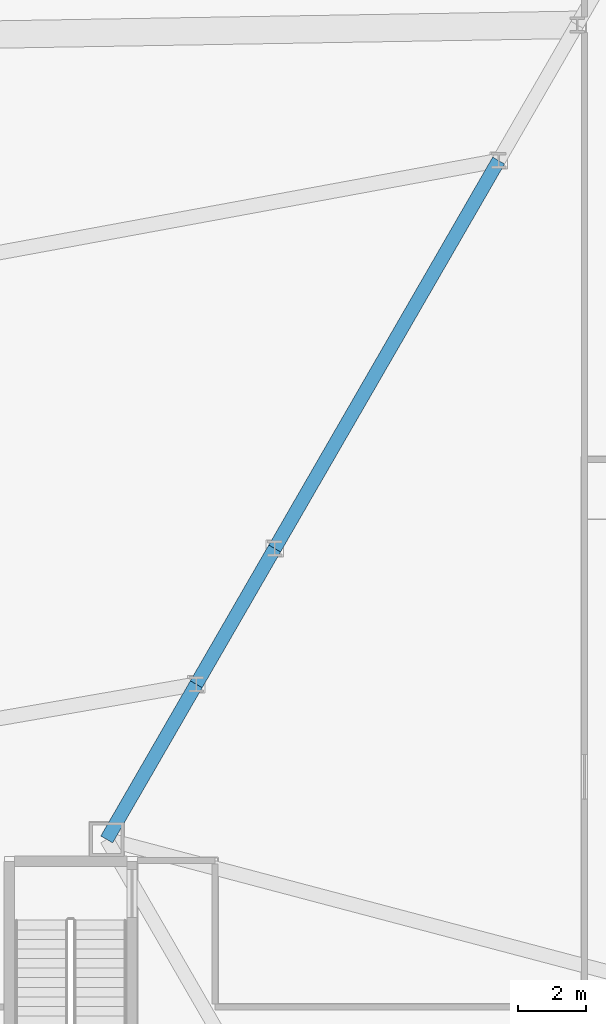
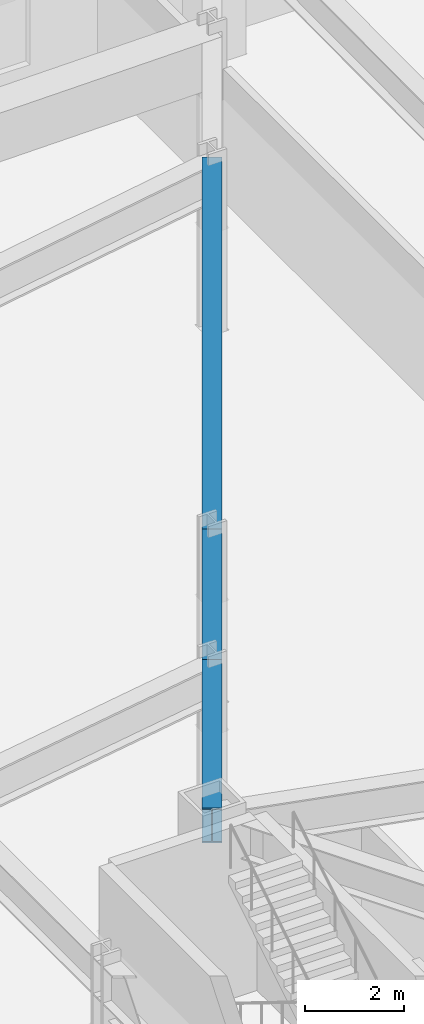
# One storey, part 7 of 21: 3 beams.
"""IFC4 building model written with IfcOpenShell, lengths in metres."""

from ifc_helpers import new_model, si_unit, direction, frame, origin, origin_2d, place, context, subcontext, project, spatial, i_section, extrude, material, material_profile, profile_set, type_object, element, save


model = new_model("IFC4")

# Units and contexts
model_context = context("Model", 3, precision=1e-05, world=origin(), true_north=direction((0.0, 1.0)))
body_context = subcontext(model_context, "Body", "Model", "MODEL_VIEW")
ifc_project = project(units=[si_unit("LENGTHUNIT", "METRE"), si_unit("AREAUNIT", "SQUARE_METRE"), si_unit("VOLUMEUNIT", "CUBIC_METRE"), si_unit("PLANEANGLEUNIT", "RADIAN"), si_unit("MASSUNIT", "GRAM", prefix="KILO")], contexts=[model_context])

# Site, building, storey
site_placement = place(None, origin())
site = spatial("IfcSite", under=ifc_project, at=site_placement, CompositionType="ELEMENT")
building_placement = place(site_placement, origin())
building = spatial("IfcBuilding", under=site, at=building_placement, Name="Oramaril Tower", CompositionType="ELEMENT")
storey_placement = place(building_placement, frame((0.0, 0.0, 5.39990234375)))
storey = spatial("IfcBuildingStorey", under=building, at=storey_placement, Name="L01", CompositionType="ELEMENT", Elevation=5.39990234375)

# Beams
ifc_material = material(Name="Steel ASTM A572 Gr 50", Category="steel")
ifc_material_profile = material_profile(ifc_material, i_section(OverallWidth=0.40087890625, OverallDepth=0.85595703125, WebThickness=0.018310546875, FlangeThickness=0.029296875, at=origin_2d()), Name="W33X201")
ifc_profile_set = profile_set([ifc_material_profile], Name="Steel ASTM A572 Gr 50")
beam_type = type_object("IfcBeamType", Name="BT-SP1", PredefinedType="SPANDREL", material=ifc_profile_set)
beam_1_placement = place(storey_placement, frame((24.543212890625, 35.137939453125, 3.7919921875), z_axis=(-0.50000660679, -0.866021589319, 0.0), x_axis=(0.866021589319, -0.50000660679, 0.0)))
element("IfcBeam", 1, at=beam_1_placement, inside=storey, type_object=beam_type, Name="L01 Perimeter Spandrel 16", PredefinedType="SPANDREL", context=body_context, shape_type="SweptSolid", body=[
    extrude(i_section(OverallWidth=0.40087890625, OverallDepth=0.85595703125, WebThickness=0.018310546875, FlangeThickness=0.029296875, at=origin_2d()), origin(), (0.0, 0.0, 1.0), 13.089599609375),
])
beam_2_placement = place(storey_placement, frame((17.998291015625, 23.802001953125, 3.7919921875), z_axis=(-0.500019215235, -0.866014309579, 0.0), x_axis=(0.866014309579, -0.500019215235, 0.0)))
element("IfcBeam", 2, at=beam_2_placement, inside=storey, type_object=beam_type, Name="L01 Perimeter Spandrel 17", PredefinedType="SPANDREL", context=body_context, shape_type="SweptSolid", body=[
    extrude(i_section(OverallWidth=0.40087890625, OverallDepth=0.85595703125, WebThickness=0.018310546875, FlangeThickness=0.029296875, at=origin_2d()), origin(), (0.0, 0.0, 1.0), 4.581298828125),
])
beam_3_placement = place(storey_placement, frame((15.70751953125, 19.83447265625, 3.7919921875), z_axis=(-0.499995574394, -0.866027958894, 0.0), x_axis=(0.866027958894, -0.499995574394, 0.0)))
element("IfcBeam", 3, at=beam_3_placement, inside=storey, type_object=beam_type, Name="L01 Perimeter Spandrel 18", PredefinedType="SPANDREL", context=body_context, shape_type="SweptSolid", body=[
    extrude(i_section(OverallWidth=0.40087890625, OverallDepth=0.85595703125, WebThickness=0.018310546875, FlangeThickness=0.029296875, at=origin_2d()), origin(), (0.0, 0.0, 1.0), 5.23583984375),
])

save(model, "model.ifc")
